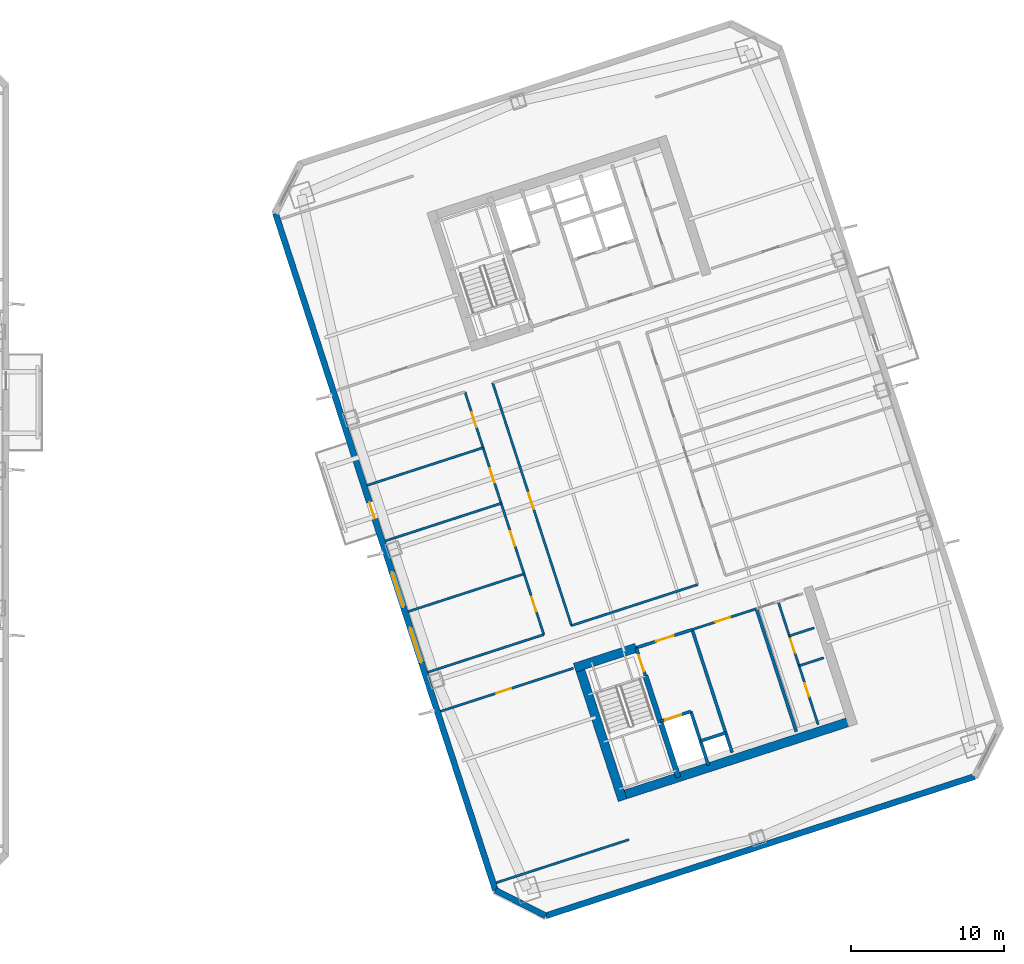
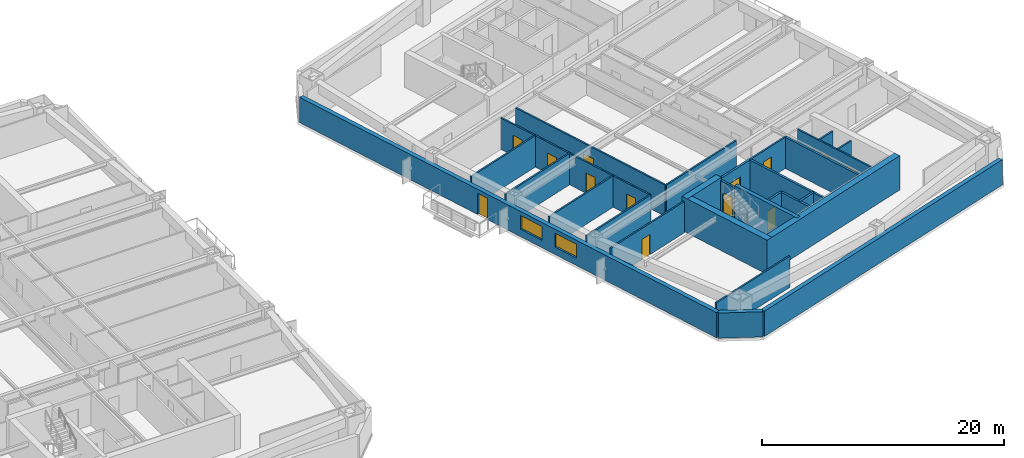
# One storey, part 14 of 23: 27 walls, 13 doors, 2 windows, 15 openings.
"""IFC4 building model written with IfcOpenShell, lengths in metres."""

from ifc_helpers import new_model, si_unit, direction, frame, frame_2d, origin, place, context, subcontext, project, spatial, rectangle, extrude, material, layer, layer_set, type_object, element, fill, save


model = new_model("IFC4")

# Units and contexts
model_context = context("Model", 3, precision=1e-05, world=origin(), true_north=direction((0.0, 1.0)))
body_context = subcontext(model_context, "Body", "Model", "MODEL_VIEW")
ifc_project = project(units=[si_unit("LENGTHUNIT", "METRE"), si_unit("AREAUNIT", "SQUARE_METRE"), si_unit("VOLUMEUNIT", "CUBIC_METRE"), si_unit("PLANEANGLEUNIT", "RADIAN"), si_unit("MASSUNIT", "GRAM", prefix="KILO")], contexts=[model_context])

# Site, building, storey
site_placement = place(None, origin())
site = spatial("IfcSite", under=ifc_project, at=site_placement, CompositionType="ELEMENT")
building_placement = place(site_placement, origin())
building = spatial("IfcBuilding", under=site, at=building_placement, Name="Qiaolan Cultural Towers", CompositionType="ELEMENT")
storey_placement = place(building_placement, frame((0.0, 0.0, 100.050048828125)))
storey = spatial("IfcBuildingStorey", under=building, at=storey_placement, Name="L25", CompositionType="ELEMENT", Elevation=100.050048828125)

# Walls
ifc_material_1 = material(Name="Concrete C50", Category="concrete")
ifc_layer_1 = layer(ifc_material_1, 0.35009765625)
ifc_layer_set_1 = layer_set([ifc_layer_1], Name="Concrete C50")
wall_type_1 = type_object("IfcWallType", Name="WL-CORE-350", PredefinedType="SHEAR", material=ifc_layer_set_1)
wall_1_placement = place(storey_placement, frame((90.486328125, 20.59423828125, 0.0), z_axis=(0.0, 0.0, 1.0), x_axis=(0.309020428229, -0.951055400562, 0.0)))
element("IfcWall", 1, at=wall_1_placement, inside=storey, type_object=wall_type_1, Name="L25 T2-CS Stair Core Dividing Web", PredefinedType="SHEAR", context=body_context, shape_type="SweptSolid", body=[
    extrude(rectangle(XDim=6.97998046875, YDim=0.35009765625, at=frame_2d((3.489990234375, 0.0))), origin(), (0.0, 0.0, 1.0), 3.449951171875),
])
ifc_material_2 = material(Name="Concrete C55", Category="concrete")
ifc_layer_2 = layer(ifc_material_2, 0.60009765625)
ifc_layer_set_2 = layer_set([ifc_layer_2], Name="Concrete C55")
wall_type_2 = type_object("IfcWallType", Name="WL-CORE-600", PredefinedType="SHEAR", material=ifc_layer_set_2)
wall_2_placement = place(storey_placement, frame((88.6298828125, 12.65185546875, 0.0), z_axis=(0.0, 0.0, 1.0), x_axis=(0.95105714907, 0.309015046886, 0.0)))
element("IfcWall", 2, at=wall_2_placement, inside=storey, type_object=wall_type_2, Name="L25 T2-CS Outer Core Shear Wall", PredefinedType="SHEAR", context=body_context, shape_type="SweptSolid", body=[
    extrude(rectangle(XDim=16.400146484375, YDim=0.60009765625, at=frame_2d((8.2001953125, 0.0))), origin(), (0.0, 0.0, 1.0), 3.449951171875),
])
wall_3_placement = place(storey_placement, frame((86.078369140625, 21.47509765625, 0.0), z_axis=(0.0, 0.0, 1.0), x_axis=(0.309017938678, -0.951056209472, 0.0)))
element("IfcWall", 3, at=wall_3_placement, inside=storey, type_object=wall_type_2, Name="L25 T2-CS West Core Shear Wall", PredefinedType="SHEAR", context=body_context, shape_type="SweptSolid", body=[
    extrude(rectangle(XDim=9.479736328125, YDim=0.60009765625, at=frame_2d((4.73974609375, 0.0))), origin(), (0.0, 0.0, 1.0), 3.449951171875),
])
wall_4_placement = place(storey_placement, frame((85.8857421875, 21.09716796875, 0.0), z_axis=(0.0, 0.0, 1.0), x_axis=(0.951068073652, 0.308981422225, 0.0)))
element("IfcWall", 4, at=wall_4_placement, inside=storey, type_object=wall_type_2, Name="L25 T2-CS Stair Front Shear Wall", PredefinedType="SHEAR", context=body_context, shape_type="SweptSolid", body=[
    extrude(rectangle(XDim=4.22021484375, YDim=0.60009765625, at=frame_2d((2.110107421875, 0.0))), origin(), (0.0, 0.0, 1.0), 3.449951171875),
])

# Wall, openings, door, windows
ifc_material_3 = material(Name="Precast Concrete C50 Honed Stone Pier", Category="masonry")
ifc_layer_3 = layer(ifc_material_3, 0.39990234375)
ifc_layer_set_3 = layer_set([ifc_layer_3], Name="Precast Concrete C50 Honed Stone Pier")
wall_type_3 = type_object("IfcWallType", Name="WL-EXT-PIER-400", PredefinedType="SOLIDWALL", material=ifc_layer_set_3)
wall_5_placement = place(storey_placement, frame((80.7158203125, 6.589599609375, 0.0), z_axis=(0.0, 0.0, 1.0), x_axis=(-0.309017542002, 0.95105633836, 0.0)))
wall_5 = element("IfcWall", 5, at=wall_5_placement, inside=storey, type_object=wall_type_3, Name="L25 East Tower Precast Pier Facade Wall F1", PredefinedType="SOLIDWALL", context=body_context, shape_type="SweptSolid", body=[
    extrude(rectangle(XDim=46.39990234375, YDim=0.39990234375, at=frame_2d((23.199951171875, 0.0))), origin(), (0.0, 0.0, 1.0), 2.550048828125),
])
opening_1_placement = place(wall_5_placement, frame((15.60009765625, 0.0, 0.75)))
opening_1 = element("IfcOpeningElement", 6, at=opening_1_placement, cuts=wall_5, Name="Opening W-02", PredefinedType="OPENING", context=body_context, shape_type="SweptSolid", body=[
    extrude(rectangle(XDim=2.39990234375, YDim=1.39990234375, at=frame_2d((1.199951171875, 0.699951171875))), frame((0.0, 0.2099609375, 0.0), z_axis=(0.0, -1.0, 0.0), x_axis=(1.0, 0.0, 0.0)), (0.0, 0.0, 1.0), 0.419921875),
])
opening_2_placement = place(wall_5_placement, frame((19.39990234375, 0.0, 0.75)))
opening_2 = element("IfcOpeningElement", 7, at=opening_2_placement, cuts=wall_5, Name="Opening W-02", PredefinedType="OPENING", context=body_context, shape_type="SweptSolid", body=[
    extrude(rectangle(XDim=2.39990234375, YDim=1.39990234375, at=frame_2d((1.199951171875, 0.699951171875))), frame((0.0, 0.2099609375, 0.0), z_axis=(0.0, -1.0, 0.0), x_axis=(1.0, 0.0, 0.0)), (0.0, 0.0, 1.0), 0.419921875),
])
opening_3_placement = place(wall_5_placement, frame((25.496337890625, 0.0, 0.0)))
opening_3 = element("IfcOpeningElement", 8, at=opening_3_placement, cuts=wall_5, Name="Opening BD-01", PredefinedType="OPENING", context=body_context, shape_type="SweptSolid", body=[
    extrude(rectangle(XDim=1.10009765625, YDim=2.14990234375, at=frame_2d((0.550048828125, 1.074951171875))), frame((0.0, 0.2099609375, 0.0), z_axis=(0.0, -1.0, 0.0), x_axis=(1.0, 0.0, 0.0)), (0.0, 0.0, 1.0), 0.419921875),
])
ifc_material_4 = material(Name="Thermally Broken Aluminium Glazed Terrace Door", Category="aluminium")
door_type_1 = type_object("IfcDoorType", Name="DR-BAL-1100", OperationType="NOTDEFINED", PredefinedType="DOOR", material=ifc_material_4)
door_1_placement = place(opening_3_placement, origin())
door_1 = element("IfcDoor", 9, at=door_1_placement, inside=storey, type_object=door_type_1, Name="L25 T2 West Tree Balcony Door", OperationType="SINGLE_SWING_LEFT", OverallHeight=2.14990234375, OverallWidth=1.10009765625, PredefinedType="DOOR", context=body_context, shape_type="SweptSolid", body=[
    extrude(rectangle(XDim=1.10009765625, YDim=2.14990234375, at=frame_2d((0.550048828125, 1.074951171875))), frame((0.0, 0.02490234375, 0.0), z_axis=(0.0, -1.0, 0.0), x_axis=(1.0, 0.0, 0.0)), (0.0, 0.0, 1.0), 0.050048828125),
])
fill(opening_3, door_1)
ifc_material_5 = material(Name="Thermally Broken Aluminium Triple Low-E Glazing", Category="aluminium")
window_type = type_object("IfcWindowType", Name="WN-CHIC-2400", PartitioningType="SINGLE_PANEL", PredefinedType="WINDOW", material=ifc_material_5)
window_1_placement = place(opening_1_placement, origin())
window_1 = element("IfcWindow", 10, at=window_1_placement, inside=storey, type_object=window_type, Name="L25 T2 W Chicago Bay Window 1", OverallHeight=1.39990234375, OverallWidth=2.39990234375, PartitioningType="TRIPLE_PANEL_VERTICAL", PredefinedType="WINDOW", context=body_context, shape_type="SweptSolid", body=[
    extrude(rectangle(XDim=2.39990234375, YDim=1.39990234375, at=frame_2d((1.199951171875, 0.699951171875))), frame((0.0, 0.030029296875, 0.0), z_axis=(0.0, -1.0, 0.0), x_axis=(1.0, 0.0, 0.0)), (0.0, 0.0, 1.0), 0.06005859375),
])
fill(opening_1, window_1)
window_2_placement = place(opening_2_placement, origin())
window_2 = element("IfcWindow", 11, at=window_2_placement, inside=storey, type_object=window_type, Name="L25 T2 W Chicago Bay Window 2", OverallHeight=1.39990234375, OverallWidth=2.39990234375, PartitioningType="TRIPLE_PANEL_VERTICAL", PredefinedType="WINDOW", context=body_context, shape_type="SweptSolid", body=[
    extrude(rectangle(XDim=2.39990234375, YDim=1.39990234375, at=frame_2d((1.199951171875, 0.699951171875))), frame((0.0, 0.030029296875, 0.0), z_axis=(0.0, -1.0, 0.0), x_axis=(1.0, 0.0, 0.0)), (0.0, 0.0, 1.0), 0.06005859375),
])
fill(opening_2, window_2)

# Walls
wall_6_placement = place(storey_placement, frame((111.953125, 14.00537109375, 0.0), z_axis=(0.0, 0.0, 1.0), x_axis=(-0.95105505922, -0.309021478754, 0.0)))
element("IfcWall", 12, at=wall_6_placement, inside=storey, type_object=wall_type_3, Name="L25 East Tower Precast Pier Facade Wall F7", PredefinedType="SOLIDWALL", context=body_context, shape_type="SweptSolid", body=[
    extrude(rectangle(XDim=29.39990234375, YDim=0.39990234375, at=frame_2d((14.699951171875, 0.0))), origin(), (0.0, 0.0, 1.0), 2.550048828125),
])
wall_7_placement = place(storey_placement, frame((83.9921875, 4.920166015625, 0.0), z_axis=(0.0, 0.0, 1.0), x_axis=(-0.891001999643, 0.45399937955, 0.0)))
element("IfcWall", 13, at=wall_7_placement, inside=storey, type_object=wall_type_3, Name="L25 East Tower Precast Pier Facade Wall F8", PredefinedType="SOLIDWALL", context=body_context, shape_type="SweptSolid", body=[
    extrude(rectangle(XDim=3.67724609375, YDim=0.39990234375, at=frame_2d((1.838623046875, 0.0))), origin(), (0.0, 0.0, 1.0), 2.550048828125),
])

# Wall, opening, door
ifc_material_6 = material(Name="Concrete C35 Fire Wall", Category="concrete")
ifc_layer_4 = layer(ifc_material_6, 0.199951171875)
ifc_layer_set_4 = layer_set([ifc_layer_4], Name="Concrete C35 Fire Wall")
wall_type_4 = type_object("IfcWallType", Name="WL-FIRE-200", PredefinedType="PARTITIONING", material=ifc_layer_set_4)
wall_8_placement = place(storey_placement, frame((89.8994140625, 22.401123046875, 0.0), z_axis=(0.0, 0.0, 1.0), x_axis=(0.308932062672, -0.951084108086, 0.0)))
wall_8 = element("IfcWall", 14, at=wall_8_placement, inside=storey, type_object=wall_type_4, Name="L25 T2-CS Smokeproof Stair Entry Wall", PredefinedType="PARTITIONING", context=body_context, shape_type="SweptSolid", body=[
    extrude(rectangle(XDim=1.89990234375, YDim=0.199951171875, at=frame_2d((0.949951171875, 0.0))), origin(), (0.0, 0.0, 1.0), 3.155029296875),
])
opening_4_placement = place(wall_8_placement, frame((0.52001953125, 0.0, 0.0)))
opening_4 = element("IfcOpeningElement", 15, at=opening_4_placement, cuts=wall_8, Name="Opening FD-04", PredefinedType="OPENING", context=body_context, shape_type="SweptSolid", body=[
    extrude(rectangle(XDim=1.10009765625, YDim=2.050048828125, at=frame_2d((0.550048828125, 1.02490234375))), frame((0.0, 0.10986328125, 0.0), z_axis=(0.0, -1.0, 0.0), x_axis=(1.0, 0.0, 0.0)), (0.0, 0.0, 1.0), 0.219970703125),
])
ifc_material_7 = material(Name="Galvanized Steel Command Fire Door", Category="steel")
door_type_2 = type_object("IfcDoorType", Name="DR-FD90-1100", OperationType="NOTDEFINED", PredefinedType="DOOR", material=ifc_material_7)
door_2_placement = place(opening_4_placement, origin())
door_2 = element("IfcDoor", 16, at=door_2_placement, inside=storey, type_object=door_type_2, Name="L25 ST-E1 Smokeproof Stair Fire Door", OperationType="SINGLE_SWING_LEFT", OverallHeight=2.050048828125, OverallWidth=1.10009765625, PredefinedType="DOOR", context=body_context, shape_type="SweptSolid", body=[
    extrude(rectangle(XDim=1.10009765625, YDim=2.050048828125, at=frame_2d((0.550048828125, 1.02490234375))), frame((0.0, 0.02490234375, 0.0), z_axis=(0.0, -1.0, 0.0), x_axis=(1.0, 0.0, 0.0)), (0.0, 0.0, 1.0), 0.050048828125),
])
fill(opening_4, door_2)

# Wall
wall_9_placement = place(storey_placement, frame((93.541748046875, 23.584716796875, 0.0), z_axis=(0.0, 0.0, 1.0), x_axis=(0.309042196757, -0.951048327176, 0.0)))
element("IfcWall", 17, at=wall_9_placement, inside=storey, type_object=wall_type_4, Name="L25 T2-CS Firefighting Zone Wall", PredefinedType="PARTITIONING", context=body_context, shape_type="SweptSolid", body=[
    extrude(rectangle(XDim=8.429931640625, YDim=0.199951171875, at=frame_2d((4.21484375, 0.0))), origin(), (0.0, 0.0, 1.0), 3.155029296875),
])

# Wall, opening, door
wall_10_placement = place(storey_placement, frame((89.8994140625, 22.401123046875, 0.0), z_axis=(0.0, 0.0, 1.0), x_axis=(0.951046716504, 0.309047153403, 0.0)))
wall_10 = element("IfcWall", 18, at=wall_10_placement, inside=storey, type_object=wall_type_4, Name="L25 T2-CS Firefighting Lobby Front Wall", PredefinedType="PARTITIONING", context=body_context, shape_type="SweptSolid", body=[
    extrude(rectangle(XDim=3.829833984375, YDim=0.199951171875, at=frame_2d((1.9150390625, 0.0))), origin(), (0.0, 0.0, 1.0), 3.155029296875),
])
opening_5_placement = place(wall_10_placement, frame((1.35009765625, 0.0, 0.0)))
opening_5 = element("IfcOpeningElement", 19, at=opening_5_placement, cuts=wall_10, Name="Opening FD-03", PredefinedType="OPENING", context=body_context, shape_type="SweptSolid", body=[
    extrude(rectangle(XDim=1.199951171875, YDim=2.050048828125, at=frame_2d((0.60009765625, 1.02490234375))), frame((0.0, 0.10986328125, 0.0), z_axis=(0.0, -1.0, 0.0), x_axis=(1.0, 0.0, 0.0)), (0.0, 0.0, 1.0), 0.219970703125),
])
ifc_material_8 = material(Name="Galvanized Steel Smokeproof Lobby Fire Door", Category="steel")
door_type_3 = type_object("IfcDoorType", Name="DR-FD90-1200", OperationType="NOTDEFINED", PredefinedType="DOOR", material=ifc_material_8)
door_3_placement = place(opening_5_placement, origin())
door_3 = element("IfcDoor", 20, at=door_3_placement, inside=storey, type_object=door_type_3, Name="L25 FFL-E1 Firefighting Lobby Fire Door", OperationType="SINGLE_SWING_LEFT", OverallHeight=2.050048828125, OverallWidth=1.199951171875, PredefinedType="DOOR", context=body_context, shape_type="SweptSolid", body=[
    extrude(rectangle(XDim=1.199951171875, YDim=2.050048828125, at=frame_2d((0.60009765625, 1.02490234375))), frame((0.0, 0.02490234375, 0.0), z_axis=(0.0, -1.0, 0.0), x_axis=(1.0, 0.0, 0.0)), (0.0, 0.0, 1.0), 0.050048828125),
])
fill(opening_5, door_3)

wall_11_placement = place(storey_placement, frame((91.459716796875, 17.598388671875, 0.0), z_axis=(0.0, 0.0, 1.0), x_axis=(0.951062257173, 0.308999325213, 0.0)))
wall_11 = element("IfcWall", 21, at=wall_11_placement, inside=storey, type_object=wall_type_4, Name="L25 T2-CS Firefighting Shaft Front Wall", PredefinedType="PARTITIONING", context=body_context, shape_type="SweptSolid", body=[
    extrude(rectangle(XDim=2.10009765625, YDim=0.199951171875, at=frame_2d((1.050048828125, 0.0))), origin(), (0.0, 0.0, 1.0), 3.155029296875),
])
opening_6_placement = place(wall_11_placement, frame((0.35009765625, 0.0, 0.0)))
opening_6 = element("IfcOpeningElement", 22, at=opening_6_placement, cuts=wall_11, Name="Opening LD-01", PredefinedType="OPENING", context=body_context, shape_type="SweptSolid", body=[
    extrude(rectangle(XDim=1.10009765625, YDim=2.050048828125, at=frame_2d((0.550048828125, 1.02490234375))), frame((0.0, 0.10986328125, 0.0), z_axis=(0.0, -1.0, 0.0), x_axis=(1.0, 0.0, 0.0)), (0.0, 0.0, 1.0), 0.219970703125),
])
ifc_material_9 = material(Name="Brushed Stainless Steel S30408 Centre-Parting Lift Landing Door", Category="steel")
door_type_4 = type_object("IfcDoorType", Name="DR-LIFT-1100", OperationType="NOTDEFINED", PredefinedType="DOOR", material=ifc_material_9)
door_4_placement = place(opening_6_placement, origin())
door_4 = element("IfcDoor", 23, at=door_4_placement, inside=storey, type_object=door_type_4, Name="L25 FFL-E1 Firefighting Lift Landing Door", OperationType="DOUBLE_DOOR_SLIDING", OverallHeight=2.050048828125, OverallWidth=1.10009765625, PredefinedType="DOOR", context=body_context, shape_type="SweptSolid", body=[
    extrude(rectangle(XDim=1.10009765625, YDim=2.050048828125, at=frame_2d((0.550048828125, 1.02490234375))), frame((0.0, 0.02490234375, 0.0), z_axis=(0.0, -1.0, 0.0), x_axis=(1.0, 0.0, 0.0)), (0.0, 0.0, 1.0), 0.050048828125),
])
fill(opening_6, door_4)

# Walls
wall_12_placement = place(storey_placement, frame((93.45703125, 18.247314453125, 0.0), z_axis=(0.0, 0.0, 1.0), x_axis=(0.3089935693, -0.951064127245, 0.0)))
element("IfcWall", 24, at=wall_12_placement, inside=storey, type_object=wall_type_4, Name="L25 T2-CS Firefighting Hoistway East Wall", PredefinedType="PARTITIONING", context=body_context, shape_type="SweptSolid", body=[
    extrude(rectangle(XDim=3.7001953125, YDim=0.199951171875, at=frame_2d((1.85009765625, 0.0))), origin(), (0.0, 0.0, 1.0), 3.155029296875),
])
wall_13_placement = place(storey_placement, frame((94.08447265625, 16.316650390625, 0.0), z_axis=(0.0, 0.0, 1.0), x_axis=(0.951041328149, 0.309063734775, 0.0)))
element("IfcWall", 25, at=wall_13_placement, inside=storey, type_object=wall_type_4, Name="L25 T2-CS Pressurization Shaft Front Wall", PredefinedType="PARTITIONING", context=body_context, shape_type="SweptSolid", body=[
    extrude(rectangle(XDim=1.72998046875, YDim=0.199951171875, at=frame_2d((0.864990234375, 0.0))), origin(), (0.0, 0.0, 1.0), 3.155029296875),
])
wall_14_placement = place(storey_placement, frame((97.7265625, 24.9443359375, 0.0), z_axis=(0.0, 0.0, 1.0), x_axis=(0.309016001439, -0.951056838919, 0.0)))
element("IfcWall", 26, at=wall_14_placement, inside=storey, type_object=wall_type_4, Name="L25 T2-CS Lift Core East Wall", PredefinedType="PARTITIONING", context=body_context, shape_type="SweptSolid", body=[
    extrude(rectangle(XDim=8.429931640625, YDim=0.199951171875, at=frame_2d((4.21484375, 0.0))), origin(), (0.0, 0.0, 1.0), 3.155029296875),
])

# Wall, opening, door
ifc_material_10 = material(Name="Autoclaved Aerated Concrete Block B06", Category="concrete")
ifc_layer_5 = layer(ifc_material_10, 0.14990234375)
ifc_layer_set_5 = layer_set([ifc_layer_5], Name="Autoclaved Aerated Concrete Block B06")
wall_type_5 = type_object("IfcWallType", Name="WL-PART-150", PredefinedType="PARTITIONING", material=ifc_layer_set_5)
wall_15_placement = place(storey_placement, frame((93.541748046875, 23.584716796875, 0.0), z_axis=(0.0, 0.0, 1.0), x_axis=(0.951063829732, 0.308994485023, 0.0)))
wall_15 = element("IfcWall", 27, at=wall_15_placement, inside=storey, type_object=wall_type_5, Name="L25 T2-CS Reclaimed Core Room Front Wall", PredefinedType="PARTITIONING", context=body_context, shape_type="SweptSolid", body=[
    extrude(rectangle(XDim=4.400146484375, YDim=0.14990234375, at=frame_2d((2.2001953125, 0.0))), origin(), (0.0, 0.0, 1.0), 3.155029296875),
])
opening_7_placement = place(wall_15_placement, frame((1.60009765625, 0.0, 0.0)))
opening_7 = element("IfcOpeningElement", 28, at=opening_7_placement, cuts=wall_15, Name="Opening ID-04", PredefinedType="OPENING", context=body_context, shape_type="SweptSolid", body=[
    extrude(rectangle(XDim=1.0, YDim=2.050048828125, at=frame_2d((0.5, 1.02490234375))), frame((0.0, 0.0849609375, 0.0), z_axis=(0.0, -1.0, 0.0), x_axis=(1.0, 0.0, 0.0)), (0.0, 0.0, 1.0), 0.169921875),
])
ifc_material_11 = material(Name="Oak Veneer Acoustic Office Door", Category="timber")
door_type_5 = type_object("IfcDoorType", Name="DR-INT-1000", OperationType="NOTDEFINED", PredefinedType="DOOR", material=ifc_material_11)
door_5_placement = place(opening_7_placement, origin())
door_5 = element("IfcDoor", 29, at=door_5_placement, inside=storey, type_object=door_type_5, Name="L25 Reclaimed Archive Room Door", OperationType="SINGLE_SWING_LEFT", OverallHeight=2.050048828125, OverallWidth=1.0, PredefinedType="DOOR", context=body_context, shape_type="SweptSolid", body=[
    extrude(rectangle(XDim=1.0, YDim=2.050048828125, at=frame_2d((0.5, 1.02490234375))), frame((0.0, 0.02490234375, 0.0), z_axis=(0.0, -1.0, 0.0), x_axis=(1.0, 0.0, 0.0)), (0.0, 0.0, 1.0), 0.050048828125),
])
fill(opening_7, door_5)

# Wall, openings, doors
wall_16_placement = place(storey_placement, frame((99.153076171875, 25.407958984375, 0.0), z_axis=(0.0, 0.0, 1.0), x_axis=(0.309016001439, -0.951056838919, 0.0)))
wall_16 = element("IfcWall", 30, at=wall_16_placement, inside=storey, type_object=wall_type_5, Name="L25 T2-CS Sanitary Corridor Wall", PredefinedType="PARTITIONING", context=body_context, shape_type="SweptSolid", body=[
    extrude(rectangle(XDim=8.429931640625, YDim=0.14990234375, at=frame_2d((4.21484375, 0.0))), origin(), (0.0, 0.0, 1.0), 3.155029296875),
])
opening_8_placement = place(wall_16_placement, frame((2.550048828125, 0.0, 0.0)))
opening_8 = element("IfcOpeningElement", 31, at=opening_8_placement, cuts=wall_16, Name="Opening ID-05", PredefinedType="OPENING", context=body_context, shape_type="SweptSolid", body=[
    extrude(rectangle(XDim=0.949951171875, YDim=2.050048828125, at=frame_2d((0.47509765625, 1.02490234375))), frame((0.0, 0.0849609375, 0.0), z_axis=(0.0, -1.0, 0.0), x_axis=(1.0, 0.0, 0.0)), (0.0, 0.0, 1.0), 0.169921875),
])
opening_9_placement = place(wall_16_placement, frame((5.60009765625, 0.0, 0.0)))
opening_9 = element("IfcOpeningElement", 32, at=opening_9_placement, cuts=wall_16, Name="Opening ID-06", PredefinedType="OPENING", context=body_context, shape_type="SweptSolid", body=[
    extrude(rectangle(XDim=0.89990234375, YDim=2.050048828125, at=frame_2d((0.449951171875, 1.02490234375))), frame((0.0, 0.0849609375, 0.0), z_axis=(0.0, -1.0, 0.0), x_axis=(1.0, 0.0, 0.0)), (0.0, 0.0, 1.0), 0.169921875),
])
ifc_material_12 = material(Name="Fire-Rated Laminate Core Service Door", Category="timber")
door_type_6 = type_object("IfcDoorType", Name="DR-INT-900", OperationType="NOTDEFINED", PredefinedType="DOOR", material=ifc_material_12)
door_6_placement = place(opening_9_placement, origin())
door_6 = element("IfcDoor", 33, at=door_6_placement, inside=storey, type_object=door_type_6, Name="L25 Staff Restroom Door", OperationType="SINGLE_SWING_RIGHT", OverallHeight=2.050048828125, OverallWidth=0.89990234375, PredefinedType="DOOR", context=body_context, shape_type="SweptSolid", body=[
    extrude(rectangle(XDim=0.89990234375, YDim=2.050048828125, at=frame_2d((0.449951171875, 1.02490234375))), frame((0.0, 0.02490234375, 0.0), z_axis=(0.0, -1.0, 0.0), x_axis=(1.0, 0.0, 0.0)), (0.0, 0.0, 1.0), 0.050048828125),
])
fill(opening_9, door_6)
ifc_material_13 = material(Name="Fire-Rated Laminate Accessible Core Door", Category="timber")
door_type_7 = type_object("IfcDoorType", Name="DR-INT-950", OperationType="NOTDEFINED", PredefinedType="DOOR", material=ifc_material_13)
door_7_placement = place(opening_8_placement, origin())
door_7 = element("IfcDoor", 34, at=door_7_placement, inside=storey, type_object=door_type_7, Name="L25 Accessible Washroom Door", OperationType="SINGLE_SWING_LEFT", OverallHeight=2.050048828125, OverallWidth=0.949951171875, PredefinedType="DOOR", context=body_context, shape_type="SweptSolid", body=[
    extrude(rectangle(XDim=0.949951171875, YDim=2.050048828125, at=frame_2d((0.47509765625, 1.02490234375))), frame((0.0, 0.02490234375, 0.0), z_axis=(0.0, -1.0, 0.0), x_axis=(1.0, 0.0, 0.0)), (0.0, 0.0, 1.0), 0.050048828125),
])
fill(opening_8, door_7)

# Walls
for number, where, z_axis, x_axis, name in (
    (35, (100.5126953125, 21.223388671875, 0.0), (0.0, 0.0, 1.0), (0.951096313471, 0.308894484414, 0.0), "L25 T2-CS Restroom Split Wall"),
    (36, (99.879150390625, 23.1728515625, 0.0), (0.0, 0.0, 1.0), (0.951054116971, 0.309024378638, 0.0), "L25 T2-CS Core Pantry Wall"),
):
    element("IfcWall", number, at=place(storey_placement, frame(where, z_axis=z_axis, x_axis=x_axis)), inside=storey, type_object=wall_type_5, Name=name, PredefinedType="PARTITIONING", context=body_context, shape_type="SweptSolid", body=[
        extrude(rectangle(XDim=1.7001953125, YDim=0.14990234375, at=frame_2d((0.85009765625, 0.0))), origin(), (0.0, 0.0, 1.0), 3.155029296875),
    ])
wall_17_placement = place(storey_placement, frame((80.76708984375, 7.079345703125, 0.0), z_axis=(0.0, 0.0, 1.0), x_axis=(0.951057133767, 0.309015093986, 0.0)))
element("IfcWall", 37, at=wall_17_placement, inside=storey, type_object=wall_type_5, Name="L25 T2 Flank Wall FLK-SW", PredefinedType="PARTITIONING", context=body_context, shape_type="SweptSolid", body=[
    extrude(rectangle(XDim=9.099853515625, YDim=0.14990234375, at=frame_2d((4.5498046875, 0.0))), origin(), (0.0, 0.0, 1.0), 3.155029296875),
])

# Wall, opening, door
wall_18_placement = place(storey_placement, frame((77.13623046875, 18.254150390625, 0.0), z_axis=(0.0, 0.0, 1.0), x_axis=(0.951057133767, 0.309015093986, 0.0)))
wall_18 = element("IfcWall", 38, at=wall_18_placement, inside=storey, type_object=wall_type_5, Name="L25 T2 Flank Front FLK-SW", PredefinedType="PARTITIONING", context=body_context, shape_type="SweptSolid", body=[
    extrude(rectangle(XDim=9.099853515625, YDim=0.14990234375, at=frame_2d((4.5498046875, 0.0))), origin(), (0.0, 0.0, 1.0), 3.155029296875),
])
opening_10_placement = place(wall_18_placement, frame((3.822021484375, 0.0, 0.0)))
opening_10 = element("IfcOpeningElement", 39, at=opening_10_placement, cuts=wall_18, Name="Opening ID-04", PredefinedType="OPENING", context=body_context, shape_type="SweptSolid", body=[
    extrude(rectangle(XDim=1.0, YDim=2.050048828125, at=frame_2d((0.5, 1.02490234375))), frame((0.0, 0.0849609375, 0.0), z_axis=(0.0, -1.0, 0.0), x_axis=(1.0, 0.0, 0.0)), (0.0, 0.0, 1.0), 0.169921875),
])
door_8_placement = place(opening_10_placement, origin())
door_8 = element("IfcDoor", 40, at=door_8_placement, inside=storey, type_object=door_type_5, Name="L25 T2 Corner Studio Door", OperationType="SINGLE_SWING_LEFT", OverallHeight=2.050048828125, OverallWidth=1.0, PredefinedType="DOOR", context=body_context, shape_type="SweptSolid", body=[
    extrude(rectangle(XDim=1.0, YDim=2.050048828125, at=frame_2d((0.5, 1.02490234375))), frame((0.0, 0.02490234375, 0.0), z_axis=(0.0, -1.0, 0.0), x_axis=(1.0, 0.0, 0.0)), (0.0, 0.0, 1.0), 0.050048828125),
])
fill(opening_10, door_8)

# Walls
wall_19_placement = place(storey_placement, frame((76.307861328125, 20.802978515625, 0.0), z_axis=(0.0, 0.0, 1.0), x_axis=(0.95105437725, 0.3090235776, 0.0)))
element("IfcWall", 41, at=wall_19_placement, inside=storey, type_object=wall_type_5, Name="L25 T2 Interior Wall", PredefinedType="PARTITIONING", context=body_context, shape_type="SweptSolid", body=[
    extrude(rectangle(XDim=7.9501953125, YDim=0.14990234375, at=frame_2d((3.97509765625, 0.0))), origin(), (0.0, 0.0, 1.0), 3.155029296875),
])
wall_20_placement = place(storey_placement, frame((85.67578125, 23.846923828125, 0.0), z_axis=(0.0, 0.0, 1.0), x_axis=(0.951063309554, 0.308996086091, 0.0)))
element("IfcWall", 42, at=wall_20_placement, inside=storey, type_object=wall_type_5, Name="L25 T2 Interior Wall", PredefinedType="PARTITIONING", context=body_context, shape_type="SweptSolid", body=[
    extrude(rectangle(XDim=8.650146484375, YDim=0.14990234375, at=frame_2d((4.3251953125, 0.0))), origin(), (0.0, 0.0, 1.0), 3.155029296875),
])

# Wall, openings, doors
wall_21_placement = place(storey_placement, frame((83.868896484375, 23.259765625, 0.0), z_axis=(0.0, 0.0, 1.0), x_axis=(-0.309022042254, 0.951054876125, 0.0)))
wall_21 = element("IfcWall", 43, at=wall_21_placement, inside=storey, type_object=wall_type_5, Name="L25 T2 Interior Wall", PredefinedType="PARTITIONING", context=body_context, shape_type="SweptSolid", body=[
    extrude(rectangle(XDim=16.639892578125, YDim=0.14990234375, at=frame_2d((8.31982421875, 0.0))), origin(), (0.0, 0.0, 1.0), 3.155029296875),
])
opening_11_placement = place(wall_21_placement, frame((1.580078125, 0.0, 0.0)))
opening_11 = element("IfcOpeningElement", 44, at=opening_11_placement, cuts=wall_21, Name="Opening ID-04", PredefinedType="OPENING", context=body_context, shape_type="SweptSolid", body=[
    extrude(rectangle(XDim=1.0, YDim=2.050048828125, at=frame_2d((0.5, 1.02490234375))), frame((0.0, 0.0849609375, 0.0), z_axis=(0.0, -1.0, 0.0), x_axis=(1.0, 0.0, 0.0)), (0.0, 0.0, 1.0), 0.169921875),
])
opening_12_placement = place(wall_21_placement, frame((6.080078125, 0.0, 0.0)))
opening_12 = element("IfcOpeningElement", 45, at=opening_12_placement, cuts=wall_21, Name="Opening ID-04", PredefinedType="OPENING", context=body_context, shape_type="SweptSolid", body=[
    extrude(rectangle(XDim=1.0, YDim=2.050048828125, at=frame_2d((0.5, 1.02490234375))), frame((0.0, 0.0849609375, 0.0), z_axis=(0.0, -1.0, 0.0), x_axis=(1.0, 0.0, 0.0)), (0.0, 0.0, 1.0), 0.169921875),
])
opening_13_placement = place(wall_21_placement, frame((10.406494140625, 0.0, 0.0)))
opening_13 = element("IfcOpeningElement", 46, at=opening_13_placement, cuts=wall_21, Name="Opening ID-04", PredefinedType="OPENING", context=body_context, shape_type="SweptSolid", body=[
    extrude(rectangle(XDim=1.0, YDim=2.050048828125, at=frame_2d((0.5, 1.02490234375))), frame((0.0, 0.0849609375, 0.0), z_axis=(0.0, -1.0, 0.0), x_axis=(1.0, 0.0, 0.0)), (0.0, 0.0, 1.0), 0.169921875),
])
opening_14_placement = place(wall_21_placement, frame((14.226318359375, 0.0, 0.0)))
opening_14 = element("IfcOpeningElement", 47, at=opening_14_placement, cuts=wall_21, Name="Opening ID-04", PredefinedType="OPENING", context=body_context, shape_type="SweptSolid", body=[
    extrude(rectangle(XDim=1.0, YDim=2.050048828125, at=frame_2d((0.5, 1.02490234375))), frame((0.0, 0.0849609375, 0.0), z_axis=(0.0, -1.0, 0.0), x_axis=(1.0, 0.0, 0.0)), (0.0, 0.0, 1.0), 0.169921875),
])
door_9_placement = place(opening_11_placement, origin())
door_9 = element("IfcDoor", 48, at=door_9_placement, inside=storey, type_object=door_type_5, Name="L25 T2 Rare Books Reading Room Door", OperationType="SINGLE_SWING_LEFT", OverallHeight=2.050048828125, OverallWidth=1.0, PredefinedType="DOOR", context=body_context, shape_type="SweptSolid", body=[
    extrude(rectangle(XDim=1.0, YDim=2.050048828125, at=frame_2d((0.5, 1.02490234375))), frame((0.0, 0.02490234375, 0.0), z_axis=(0.0, -1.0, 0.0), x_axis=(1.0, 0.0, 0.0)), (0.0, 0.0, 1.0), 0.050048828125),
])
fill(opening_11, door_9)
door_10_placement = place(opening_12_placement, origin())
door_10 = element("IfcDoor", 49, at=door_10_placement, inside=storey, type_object=door_type_5, Name="L25 T2 Rare Books Reading Room Door", OperationType="SINGLE_SWING_RIGHT", OverallHeight=2.050048828125, OverallWidth=1.0, PredefinedType="DOOR", context=body_context, shape_type="SweptSolid", body=[
    extrude(rectangle(XDim=1.0, YDim=2.050048828125, at=frame_2d((0.5, 1.02490234375))), frame((0.0, 0.02490234375, 0.0), z_axis=(0.0, -1.0, 0.0), x_axis=(1.0, 0.0, 0.0)), (0.0, 0.0, 1.0), 0.050048828125),
])
fill(opening_12, door_10)
door_11_placement = place(opening_13_placement, origin())
door_11 = element("IfcDoor", 50, at=door_11_placement, inside=storey, type_object=door_type_5, Name="L25 T2 Rare Books Reading Room Door", OperationType="SINGLE_SWING_LEFT", OverallHeight=2.050048828125, OverallWidth=1.0, PredefinedType="DOOR", context=body_context, shape_type="SweptSolid", body=[
    extrude(rectangle(XDim=1.0, YDim=2.050048828125, at=frame_2d((0.5, 1.02490234375))), frame((0.0, 0.02490234375, 0.0), z_axis=(0.0, -1.0, 0.0), x_axis=(1.0, 0.0, 0.0)), (0.0, 0.0, 1.0), 0.050048828125),
])
fill(opening_13, door_11)
door_12_placement = place(opening_14_placement, origin())
door_12 = element("IfcDoor", 51, at=door_12_placement, inside=storey, type_object=door_type_5, Name="L25 T2 Manuscript Salon Door", OperationType="SINGLE_SWING_RIGHT", OverallHeight=2.050048828125, OverallWidth=1.0, PredefinedType="DOOR", context=body_context, shape_type="SweptSolid", body=[
    extrude(rectangle(XDim=1.0, YDim=2.050048828125, at=frame_2d((0.5, 1.02490234375))), frame((0.0, 0.02490234375, 0.0), z_axis=(0.0, -1.0, 0.0), x_axis=(1.0, 0.0, 0.0)), (0.0, 0.0, 1.0), 0.050048828125),
])
fill(opening_14, door_12)

# Wall, opening, door
wall_22_placement = place(storey_placement, frame((85.67578125, 23.846923828125, 0.0), z_axis=(0.0, 0.0, 1.0), x_axis=(-0.309008771245, 0.951059188113, 0.0)))
wall_22 = element("IfcWall", 52, at=wall_22_placement, inside=storey, type_object=wall_type_5, Name="L25 T2 Interior Wall", PredefinedType="PARTITIONING", context=body_context, shape_type="SweptSolid", body=[
    extrude(rectangle(XDim=16.639892578125, YDim=0.14990234375, at=frame_2d((8.31982421875, 0.0))), origin(), (0.0, 0.0, 1.0), 3.155029296875),
])
opening_15_placement = place(wall_22_placement, frame((7.9873046875, 0.0, 0.0)))
opening_15 = element("IfcOpeningElement", 53, at=opening_15_placement, cuts=wall_22, Name="Opening ID-03", PredefinedType="OPENING", context=body_context, shape_type="SweptSolid", body=[
    extrude(rectangle(XDim=1.10009765625, YDim=2.050048828125, at=frame_2d((0.550048828125, 1.02490234375))), frame((0.0, 0.0849609375, 0.0), z_axis=(0.0, -1.0, 0.0), x_axis=(1.0, 0.0, 0.0)), (0.0, 0.0, 1.0), 0.169921875),
])
ifc_material_14 = material(Name="Oak Veneer Solid-Core Boardroom Door", Category="timber")
door_type_8 = type_object("IfcDoorType", Name="DR-INT-1100", OperationType="NOTDEFINED", PredefinedType="DOOR", material=ifc_material_14)
door_13_placement = place(opening_15_placement, origin())
door_13 = element("IfcDoor", 54, at=door_13_placement, inside=storey, type_object=door_type_8, Name="L25 T2 Central Colloquium Hall Door", OperationType="SINGLE_SWING_LEFT", OverallHeight=2.050048828125, OverallWidth=1.10009765625, PredefinedType="DOOR", context=body_context, shape_type="SweptSolid", body=[
    extrude(rectangle(XDim=1.10009765625, YDim=2.050048828125, at=frame_2d((0.550048828125, 1.02490234375))), frame((0.0, 0.02490234375, 0.0), z_axis=(0.0, -1.0, 0.0), x_axis=(1.0, 0.0, 0.0)), (0.0, 0.0, 1.0), 0.050048828125),
])
fill(opening_15, door_13)

# Walls
for number, where, z_axis, x_axis, name in (
    (55, (75.0224609375, 24.759521484375, 0.0), (0.0, 0.0, 1.0), (0.951060470027, 0.309004825775, 0.0), "L25 T2 Interior Wall"),
    (56, (73.52685546875, 29.362548828125, 0.0), (0.0, 0.0, 1.0), (0.951060470027, 0.309004825775, 0.0), "L25 T2 Interior Wall"),
    (57, (72.3486328125, 32.98876953125, 0.0), (0.0, 0.0, 1.0), (0.951060470027, 0.309004825775, 0.0), "L25 T2 Interior Wall"),
):
    element("IfcWall", number, at=place(storey_placement, frame(where, z_axis=z_axis, x_axis=x_axis)), inside=storey, type_object=wall_type_5, Name=name, PredefinedType="PARTITIONING", context=body_context, shape_type="SweptSolid", body=[
        extrude(rectangle(XDim=7.949951171875, YDim=0.14990234375, at=frame_2d((3.97509765625, 0.0))), origin(), (0.0, 0.0, 1.0), 3.155029296875),
    ])

save(model, "model.ifc")
